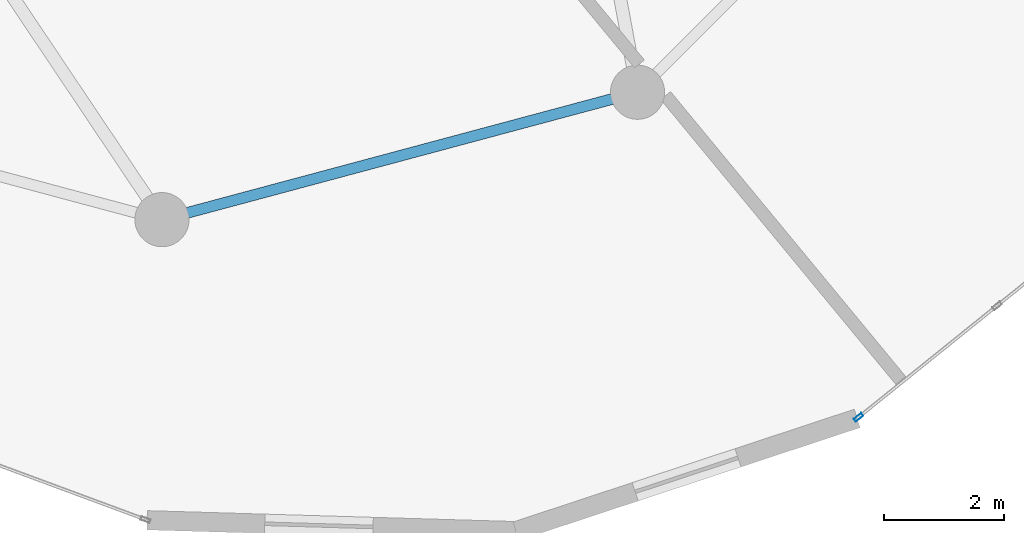
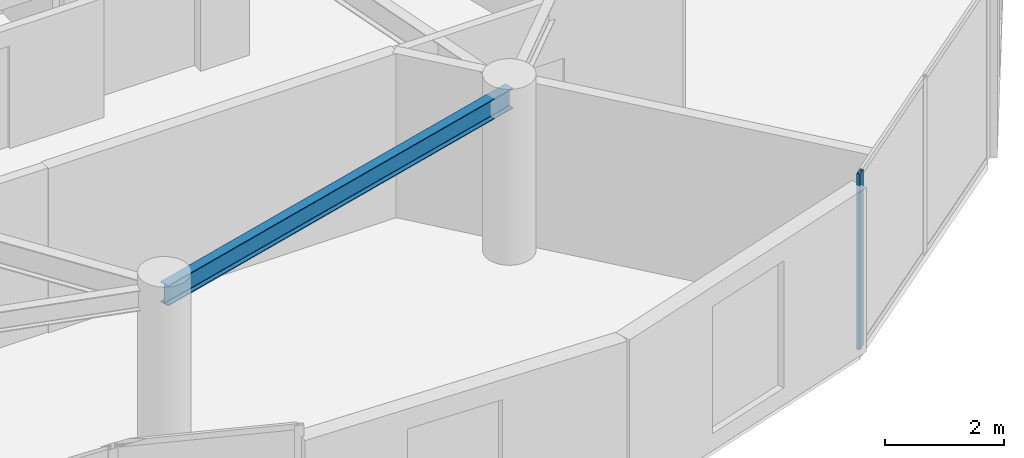
# One storey, part 4 of 20: 1 beam, 1 member, 1 element without a shape of its own.
"""IFC4 building model written with IfcOpenShell, lengths in metres."""

import ifcopenshell
import ifcopenshell.guid

model = None  # the IFC model being written
_history = None  # IfcOwnerHistory: only IFC2X3 demands one
_inside = {}  # id of a spatial element -> (the spatial element, [elements in it])
_under = {}  # id of a project, library or spatial element -> (it, [spatial elements below it])
_declared = {}  # id of a project -> (the project, [libraries it declares])
_typed = {}  # id of a type object -> (the type object, [elements of that type])
_made_of = {}  # id of a material, layer set ... -> (it, [elements and type objects made of it])


def new_model(schema):
    """Start an empty IFC model of exactly this schema.

    Asked for "IFC4X3", IfcOpenShell would pick the latest addendum, in which some entities
    have other attributes; the version numbers below select the first issue.
    IFC2X3 requires an IfcOwnerHistory on every rooted entity: one is made here for all.
    """
    global model, _history
    if schema == "IFC4X3":
        model = ifcopenshell.file(schema_version=(4, 3, 0, 0))
    else:
        model = ifcopenshell.file(schema=schema)
    _inside.clear()
    _under.clear()
    _declared.clear()
    _typed.clear()
    _made_of.clear()
    _history = None
    if model.schema == "IFC2X3":
        org = make("IfcOrganization", Name="unknown")
        user = make(
            "IfcPersonAndOrganization",
            ThePerson=make("IfcPerson", FamilyName="unknown"),
            TheOrganization=org,
        )
        app = make(
            "IfcApplication",
            ApplicationDeveloper=org,
            Version="unknown",
            ApplicationFullName="unknown",
            ApplicationIdentifier="unknown",
        )
        _history = make(
            "IfcOwnerHistory",
            OwningUser=user,
            OwningApplication=app,
            ChangeAction="ADDED",
            CreationDate=0,
        )
    return model


def make(cls, **values):
    """One entity of the class cls with the attributes given. An attribute that is None is left unset."""
    return model.create_entity(
        cls, **{name: value for name, value in values.items() if value is not None}
    )


def rooted(cls, **values):
    """An entity with a GlobalId (a new one), such as an element, a storey or a relation."""
    return make(cls, GlobalId=ifcopenshell.guid.new(), OwnerHistory=_history, **values)


def si_unit(unit_type, name, prefix=None):
    """IfcSIUnit, for example si_unit("LENGTHUNIT", "METRE", prefix="MILLI")."""
    return make("IfcSIUnit", UnitType=unit_type, Prefix=prefix, Name=name)


def assignment(units):
    """IfcUnitAssignment: the units of a project."""
    return None if units is None else make("IfcUnitAssignment", Units=units)


def point(xyz):
    """IfcCartesianPoint."""
    return None if xyz is None else make("IfcCartesianPoint", Coordinates=xyz)


def direction(xyz):
    """IfcDirection."""
    return None if xyz is None else make("IfcDirection", DirectionRatios=xyz)


def frame(location, z_axis=None, x_axis=None):
    """IfcAxis2Placement3D, a coordinate frame: its origin and axes. An axis left out is left unset."""
    return make(
        "IfcAxis2Placement3D",
        Location=point(location),
        Axis=direction(z_axis),
        RefDirection=direction(x_axis),
    )


def frame_2d(location, x_axis=None):
    """IfcAxis2Placement2D, a coordinate frame in the plane: its origin and x axis."""
    return make(
        "IfcAxis2Placement2D", Location=point(location), RefDirection=direction(x_axis)
    )


def origin():
    """The frame at (0, 0, 0) with its axes left unset."""
    return frame((0.0, 0.0, 0.0))


def origin_2d():
    """The frame at (0, 0) in the plane with its x axis left unset."""
    return frame_2d((0.0, 0.0))


def place(relative_to, where):
    """IfcLocalPlacement: puts the frame where relative to a parent placement (None: the world)."""
    return make(
        "IfcLocalPlacement", PlacementRelTo=relative_to, RelativePlacement=where
    )


def context(
    kind, dimensions, precision=None, world=None, true_north=None, identifier=None
):
    """IfcGeometricRepresentationContext, for example the 3D "Model" context."""
    return make(
        "IfcGeometricRepresentationContext",
        ContextIdentifier=identifier,
        ContextType=kind,
        CoordinateSpaceDimension=dimensions,
        Precision=precision,
        WorldCoordinateSystem=world,
        TrueNorth=true_north,
    )


def subcontext(parent, identifier, kind, view, scale=None):
    """IfcGeometricRepresentationSubContext, for example "Body" below "Model"."""
    return make(
        "IfcGeometricRepresentationSubContext",
        ContextIdentifier=identifier,
        ContextType=kind,
        ParentContext=parent,
        TargetScale=scale,
        TargetView=view,
    )


def project(units=None, contexts=None):
    """IfcProject with its units and contexts."""
    return rooted(
        "IfcProject",
        Name="project",
        RepresentationContexts=contexts,
        UnitsInContext=assignment(units),
    )


def spatial(cls, under=None, at=None, **own):
    """A site, building, storey or space (cls), placed at a placement, below another one or the project."""
    s = rooted(cls, ObjectPlacement=at, **own)
    if under is not None:
        _under.setdefault(under.id(), (under, []))[1].append(s)
    return s


def profile(cls, at=None, kind="AREA", **sizes):
    """A parametric profile (cls). Its sizes go by their IFC names, for example OverallWidth=200.0."""
    return make(cls, ProfileType=kind, Position=at, **sizes)


def hollow_rectangle(**sizes):
    """IfcRectangleHollowProfileDef."""
    return profile("IfcRectangleHollowProfileDef", **sizes)


def i_section(**sizes):
    """IfcIShapeProfileDef."""
    return profile("IfcIShapeProfileDef", **sizes)


def extrude(swept, where, along, depth):
    """IfcExtrudedAreaSolid: the profile swept, set in the frame where, extruded along a direction by depth."""
    return make(
        "IfcExtrudedAreaSolid",
        SweptArea=swept,
        Position=where,
        ExtrudedDirection=direction(along),
        Depth=depth,
    )


def shape(context_of_items, identifier, shape_type, items):
    """IfcShapeRepresentation: the items that make up one representation, for example the "Body"."""
    return make(
        "IfcShapeRepresentation",
        ContextOfItems=context_of_items,
        RepresentationIdentifier=identifier,
        RepresentationType=shape_type,
        Items=items,
    )


def source(mapping_origin, context_of_items, identifier, shape_type, items):
    """IfcRepresentationMap: a shape defined once, which mapped items show again and again."""
    return make(
        "IfcRepresentationMap",
        MappingOrigin=mapping_origin,
        MappedRepresentation=shape(context_of_items, identifier, shape_type, items),
    )


def transform(
    local_origin,
    x_axis=None,
    y_axis=None,
    z_axis=None,
    scale=None,
    scale2=None,
    scale3=None,
    uniform=True,
):
    """IfcCartesianTransformationOperator3D, or its non-uniform kind. x_axis, y_axis, z_axis: its Axis1, 2, 3."""
    if uniform:
        return make(
            "IfcCartesianTransformationOperator3D",
            Axis1=direction(x_axis),
            Axis2=direction(y_axis),
            LocalOrigin=point(local_origin),
            Scale=scale,
            Axis3=direction(z_axis),
        )
    return make(
        "IfcCartesianTransformationOperator3DnonUniform",
        Axis1=direction(x_axis),
        Axis2=direction(y_axis),
        LocalOrigin=point(local_origin),
        Scale=scale,
        Axis3=direction(z_axis),
        Scale2=scale2,
        Scale3=scale3,
    )


def mapped(mapping_source, mapping_target):
    """IfcMappedItem: shows the shape of a source again, moved by a transform."""
    return make(
        "IfcMappedItem", MappingSource=mapping_source, MappingTarget=mapping_target
    )


def material(Name=None, Category=None):
    """IfcMaterial."""
    return make("IfcMaterial", Name=Name, Category=Category)


def layer(
    of_material, thickness, ventilated=None, Name=None, Category=None, Priority=None
):
    """IfcMaterialLayer: one layer of a wall or slab, of a material (None: an air gap)."""
    return make(
        "IfcMaterialLayer",
        Material=of_material,
        LayerThickness=thickness,
        IsVentilated=ventilated,
        Name=Name,
        Category=Category,
        Priority=Priority,
    )


def layer_set(layers, Name=None):
    """IfcMaterialLayerSet."""
    return make("IfcMaterialLayerSet", MaterialLayers=layers, LayerSetName=Name)


def material_profile(
    of_material, cross_section, Name=None, Category=None, Priority=None
):
    """IfcMaterialProfile: a cross section and its material."""
    return make(
        "IfcMaterialProfile",
        Name=Name,
        Material=of_material,
        Profile=cross_section,
        Priority=Priority,
        Category=Category,
    )


def profile_set(profiles, Name=None, composite=None):
    """IfcMaterialProfileSet."""
    return make(
        "IfcMaterialProfileSet",
        Name=Name,
        MaterialProfiles=profiles,
        CompositeProfile=composite,
    )


def made_of(thing, what):
    """Note that an element or type object is made of a material, layer set ...; save() writes the relation."""
    if what is not None:
        _made_of.setdefault(what.id(), (what, []))[1].append(thing)
    return thing


def type_object(cls, material=None, **own):
    """A type object (cls), such as IfcWallType, which elements share."""
    return made_of(rooted(cls, **own), material)


def element(
    cls,
    number,
    at=None,
    inside=None,
    cuts=None,
    type_object=None,
    material=None,
    context=None,
    identifier="Body",
    shape_type=None,
    held_by="IfcProductDefinitionShape",
    body=None,
    shapes=None,
    **own,
):
    """One element of the class cls, such as IfcWall. Its Tag is "e" and its number.

    at: its placement. inside: the storey or other place that contains it. cuts: it is an
    opening in that element (IfcRelVoidsElement). A single representation is given by context,
    identifier, shape_type and body (its items); several are given by shapes. held_by: the class
    of the entity that holds the representations. save() writes the other relations.
    """
    e = rooted(cls, Tag="e%d" % number, ObjectPlacement=at, **own)
    if body is not None:
        shapes = [shape(context, identifier, shape_type, body)]
    if shapes is not None:
        e.Representation = make(held_by, Representations=shapes)
    if inside is not None:
        _inside.setdefault(inside.id(), (inside, []))[1].append(e)
    if cuts is not None:
        rooted(
            "IfcRelVoidsElement", RelatingBuildingElement=cuts, RelatedOpeningElement=e
        )
    if type_object is not None:
        _typed.setdefault(type_object.id(), (type_object, []))[1].append(e)
    return made_of(e, material)


def aggregate(whole, parts):
    """IfcRelAggregates: a whole, such as a stair, and the parts it consists of."""
    return rooted("IfcRelAggregates", RelatingObject=whole, RelatedObjects=parts)


def save(model, path):
    """Write the relations noted so far, then the file.

    IfcRelAggregates (storeys below a building ...), IfcRelContainedInSpatialStructure (elements
    in a storey), IfcRelDefinesByType, IfcRelAssociatesMaterial and IfcRelDeclares: one each for
    every whole, place, type object, material and project.
    """
    for whole, parts in _under.values():
        aggregate(whole, parts)
    for where, things in _inside.values():
        rooted(
            "IfcRelContainedInSpatialStructure",
            RelatedElements=things,
            RelatingStructure=where,
        )
    for kind, things in _typed.values():
        rooted("IfcRelDefinesByType", RelatedObjects=things, RelatingType=kind)
    for what, things in _made_of.values():
        rooted("IfcRelAssociatesMaterial", RelatedObjects=things, RelatingMaterial=what)
    for by, libraries in _declared.values():
        rooted("IfcRelDeclares", RelatingContext=by, RelatedDefinitions=libraries)
    model.write(path)


model = new_model("IFC4")

# Units and contexts
model_context = context("Model", 3, precision=1e-05, world=origin(), true_north=direction((0.0, 1.0)))
body_context = subcontext(model_context, "Body", "Model", "MODEL_VIEW")
ifc_project = project(units=[si_unit("LENGTHUNIT", "METRE"), si_unit("AREAUNIT", "SQUARE_METRE"), si_unit("VOLUMEUNIT", "CUBIC_METRE"), si_unit("PLANEANGLEUNIT", "RADIAN"), si_unit("MASSUNIT", "GRAM", prefix="KILO")], contexts=[model_context])

# Site, building, storey
site_placement = place(None, origin())
site = spatial("IfcSite", under=ifc_project, at=site_placement, CompositionType="ELEMENT")
building_placement = place(site_placement, origin())
building = spatial("IfcBuilding", under=site, at=building_placement, Name="Solvirekh Grand Hotel", CompositionType="ELEMENT")
storey_placement = place(building_placement, frame((0.0, 0.0, 194.800048828125)))
storey = spatial("IfcBuildingStorey", under=building, at=storey_placement, Name="L50", CompositionType="ELEMENT", Elevation=194.800048828125)

# Beam
ifc_material_1 = material(Name="Steel S355", Category="steel")
ifc_material_profile_1 = material_profile(ifc_material_1, i_section(OverallWidth=0.180908203125, OverallDepth=0.4169921875, WebThickness=0.010009765625, FlangeThickness=0.01611328125, FilletRadius=0.011962890625, at=origin_2d()), Name="W410X85")
ifc_profile_set_1 = profile_set([ifc_material_profile_1], Name="Steel S355")
beam_type = type_object("IfcBeamType", Name="Spandrel_Ring_W410", PredefinedType="SPANDREL", material=ifc_profile_set_1)
beam_placement = place(storey_placement, frame((0.0, -15.800048828125, 3.15185546875), z_axis=(0.965920601923, 0.258838541915, 0.0), x_axis=(-0.258838541915, 0.965920601923, 0.0)))
element("IfcBeam", 1, at=beam_placement, inside=storey, type_object=beam_type, Name="L50 perimeter spandrel beam 10", PredefinedType="SPANDREL", context=body_context, shape_type="SweptSolid", body=[
    extrude(i_section(OverallWidth=0.180908203125, OverallDepth=0.4169921875, WebThickness=0.010009765625, FlangeThickness=0.01611328125, FilletRadius=0.011962890625, at=origin_2d()), origin(), (0.0, 0.0, 1.0), 8.1787109375),
])

# Curtain wall, member
ifc_material_2 = material(Name="Anodized Bronze Aluminium 6063-T6", Category="aluminium")
ifc_layer = layer(ifc_material_2, 0.159912109375)
ifc_layer_set = layer_set([ifc_layer], Name="Anodized Bronze Aluminium 6063-T6")
curtain_wall_type = type_object("IfcCurtainWallType", Name="CW_Sys4_HighZoneFlushBronzeCW", PredefinedType="NOTDEFINED", material=ifc_layer_set)
curtain_wall_placement = place(storey_placement, origin())
curtain_wall = element("IfcCurtainWall", 2, at=curtain_wall_placement, inside=storey, type_object=curtain_wall_type, Name="L50 unitised bronze-glass curtain wall CW-L50-C01", PredefinedType="NOTDEFINED")
ifc_material_profile_2 = material_profile(ifc_material_2, hollow_rectangle(XDim=0.06005859375, YDim=0.159912109375, WallThickness=0.0048828125, at=origin_2d()), Name="ALU RHS 160X60X5")
ifc_profile_set_2 = profile_set([ifc_material_profile_2], Name="Anodized Bronze Aluminium 6063-T6")
member_type = type_object("IfcMemberType", Name="CWMullion_Sys4", PredefinedType="MULLION", material=ifc_profile_set_2)
shared_shape = source(origin(), body_context, "Body", "SweptSolid", [
    extrude(hollow_rectangle(XDim=0.06005859375, YDim=0.159912109375, WallThickness=0.0048828125, at=origin_2d()), origin(), (0.0, 0.0, 1.0), 3.599853515625),
])
member_placement = place(storey_placement, frame((11.5712890625, -19.084228515625, 0.0), z_axis=(0.0, 0.0, 1.0), x_axis=(-0.627103659713, 0.778935812487, 0.0)))
member = element("IfcMember", 3, at=member_placement, type_object=member_type, Name="U04 mullion 1", PredefinedType="MULLION", context=body_context, shape_type="MappedRepresentation", body=[
    mapped(shared_shape, transform((0.0, 0.0, 0.0), x_axis=(1.0, 0.0, 0.0), y_axis=(0.0, 1.0, 0.0), z_axis=(0.0, 0.0, 1.0), scale=1.0)),
])
aggregate(curtain_wall, [member])

save(model, "model.ifc")
